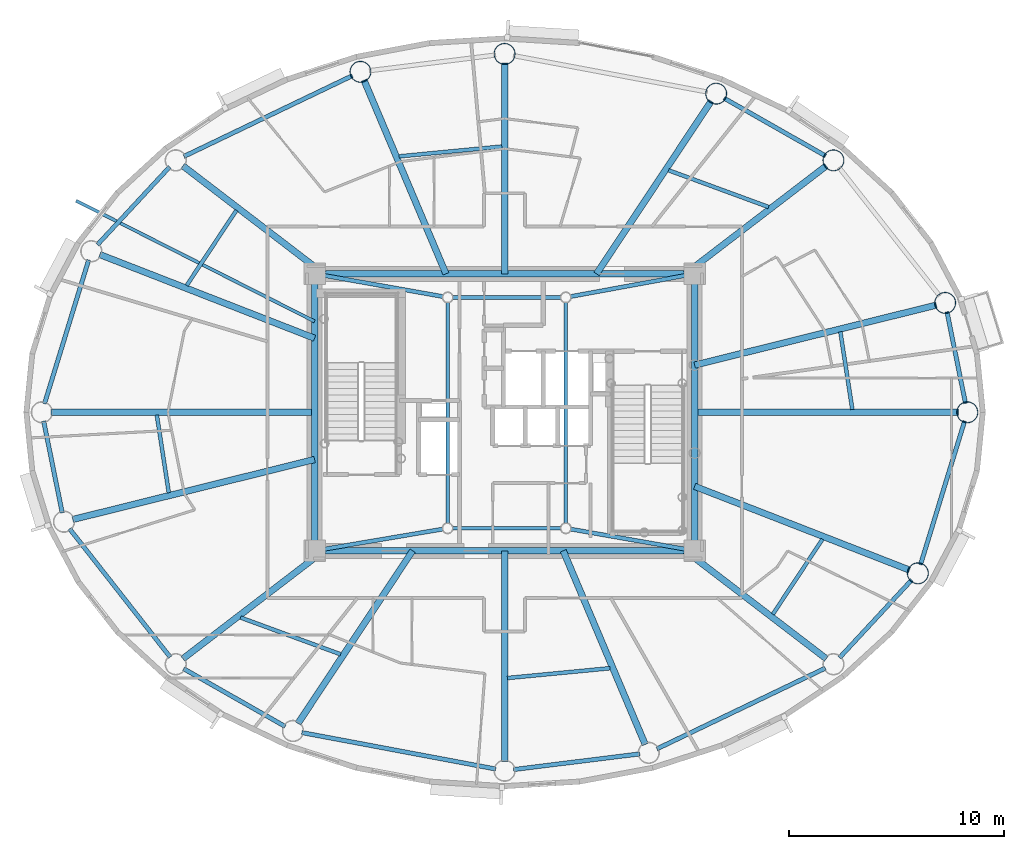
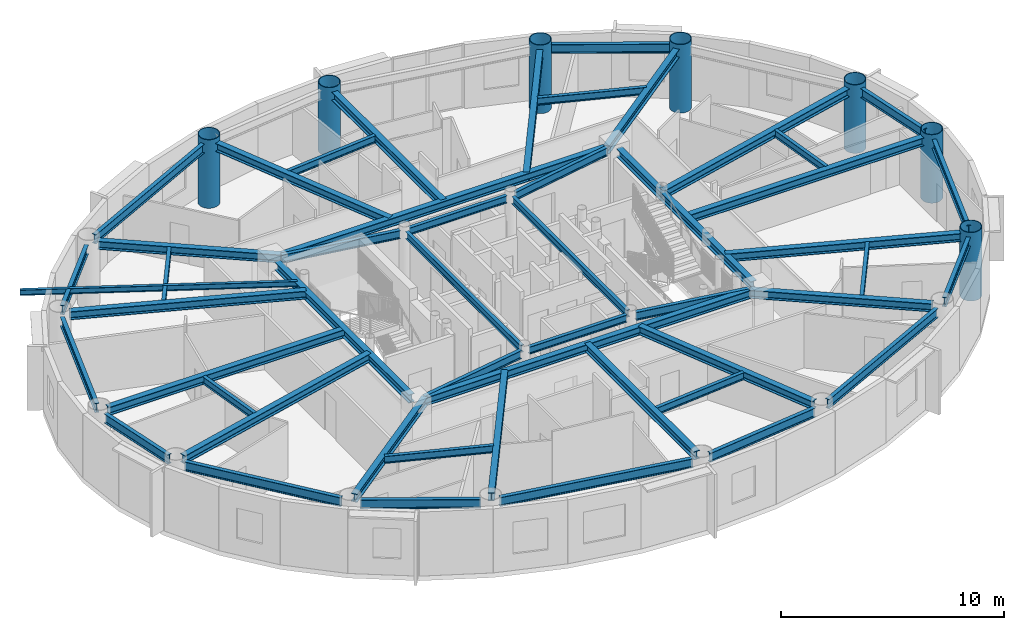
# One storey, part 2 of 17: 50 beams, 7 columns.
"""IFC4 building model written with IfcOpenShell, lengths in metres."""

from ifc_helpers import new_model, si_unit, direction, frame, origin, origin_2d, place, context, subcontext, project, spatial, hollow_circle, i_section, extrude, material, material_profile, profile_set, type_object, element, save


model = new_model("IFC4")

# Units and contexts
model_context = context("Model", 3, precision=1e-05, world=origin(), true_north=direction((0.0, 1.0)))
body_context = subcontext(model_context, "Body", "Model", "MODEL_VIEW")
ifc_project = project(units=[si_unit("LENGTHUNIT", "METRE"), si_unit("AREAUNIT", "SQUARE_METRE"), si_unit("VOLUMEUNIT", "CUBIC_METRE"), si_unit("PLANEANGLEUNIT", "RADIAN"), si_unit("MASSUNIT", "GRAM", prefix="KILO")], contexts=[model_context])

# Site, building, storey
site_placement = place(None, origin())
site = spatial("IfcSite", under=ifc_project, at=site_placement, CompositionType="ELEMENT")
building_placement = place(site_placement, origin())
building = spatial("IfcBuilding", under=site, at=building_placement, Name="Linh Dai School and Residence Tower", CompositionType="ELEMENT")
storey_placement = place(building_placement, frame((0.0, 0.0, 280.5)))
storey = spatial("IfcBuildingStorey", under=building, at=storey_placement, Name="L69", CompositionType="ELEMENT", Elevation=280.5)

# Columns
ifc_material = material(Name="Structural Steel S355JR", Category="steel")
ifc_material_profile_1 = material_profile(ifc_material, hollow_circle(Radius=0.5, WallThickness=0.031982421875, at=origin_2d()), Name="CHS 1000x32")
ifc_profile_set_1 = profile_set([ifc_material_profile_1], Name="Structural Steel S355JR")
column_type = type_object("IfcColumnType", Name="COL-MC6", PredefinedType="COLUMN", material=ifc_profile_set_1)
for number, where, z_axis, x_axis, name in (
    (1, (57.550048828125, 27.0, 0.0), (0.0, 0.0, 1.0), (1.0, 0.0, 0.0), "L69 Perimeter CFT Mega-Column MC01"),
    (2, (56.5185546875, 32.094482421875, 0.0), (0.0, 0.0, 1.0), (1.0, 0.0, 0.0), "L69 Perimeter CFT Mega-Column MC02"),
    (3, (51.315185546875, 38.7333984375, 0.0), (0.0, 0.0, 1.0), (1.0, 0.0, 0.0), "L69 Perimeter CFT Mega-Column MC03"),
    (4, (45.8544921875, 41.8388671875, 0.0), (0.0, 0.0, 1.0), (1.0, 0.0, 0.0), "L69 Perimeter CFT Mega-Column MC04"),
    (5, (36.0, 43.68994140625, 0.0), (0.0, 0.0, 1.0), (1.0, 0.0, 0.0), "L69 Perimeter CFT Mega-Column MC05"),
    (6, (29.28759765625, 42.857666015625, 0.0), (0.0, 0.0, 1.0), (1.0, 0.0, 0.0), "L69 Perimeter CFT Mega-Column MC06"),
    (7, (55.24609375, 19.50048828125, 0.0), (0.0, 0.0, 1.0), (1.0, 0.0, 0.0), "L69 Perimeter CFT Mega-Column MC16"),
):
    element("IfcColumn", number, at=place(storey_placement, frame(where, z_axis=z_axis, x_axis=x_axis)), inside=storey, type_object=column_type, Name=name, PredefinedType="COLUMN", context=body_context, shape_type="SweptSolid", body=[
        extrude(hollow_circle(Radius=0.5, WallThickness=0.031982421875, at=origin_2d()), origin(), (0.0, 0.0, 1.0), 3.75),
    ])

# Beams
ifc_material_profile_2 = material_profile(ifc_material, i_section(OverallWidth=0.14990234375, OverallDepth=0.300048828125, WebThickness=0.007080078125, FlangeThickness=0.0107421875, at=origin_2d()), Name="IPE 300")
ifc_profile_set_2 = profile_set([ifc_material_profile_2], Name="Structural Steel S355JR")
beam_type_1 = type_object("IfcBeamType", Name="BM-BALC-CANT", PredefinedType="BEAM", material=ifc_profile_set_2)
beam_1_placement = place(storey_placement, frame((27.14990234375, 31.23291015625, 3.35009765625), z_axis=(-0.892266718589, 0.451508696371, 0.0), x_axis=(-0.451508696371, -0.892266718589, 0.0)))
element("IfcBeam", 8, at=beam_1_placement, inside=storey, type_object=beam_type_1, Name="L70 Balcony Continuous Cantilever Beam 17", PredefinedType="BEAM", context=body_context, shape_type="SweptSolid", body=[
    extrude(i_section(OverallWidth=0.14990234375, OverallDepth=0.300048828125, WebThickness=0.007080078125, FlangeThickness=0.0107421875, at=origin_2d()), origin(), (0.0, 0.0, 1.0), 12.44482421875),
])
ifc_material_profile_3 = material_profile(ifc_material, i_section(OverallWidth=0.199951171875, OverallDepth=0.5, WebThickness=0.01025390625, FlangeThickness=0.01611328125, FilletRadius=0.02099609375, at=origin_2d()), Name="IPE 500")
ifc_profile_set_3 = profile_set([ifc_material_profile_3], Name="Structural Steel S355JR")
beam_type_2 = type_object("IfcBeamType", Name="BM-RB50", PredefinedType="BEAM", material=ifc_profile_set_3)
beam_2_placement = place(storey_placement, frame((57.466552734375, 27.41162109375, 3.25), z_axis=(-0.198442801529, 0.980112470343, 0.0), x_axis=(-0.980112470343, -0.198442801529, 0.0)))
element("IfcBeam", 9, at=beam_2_placement, inside=storey, type_object=beam_type_2, Name="L69 Perimeter Elliptical Ring Beam 01", PredefinedType="BEAM", context=body_context, shape_type="SweptSolid", body=[
    extrude(i_section(OverallWidth=0.199951171875, OverallDepth=0.5, WebThickness=0.01025390625, FlangeThickness=0.01611328125, FilletRadius=0.02099609375, at=origin_2d()), origin(), (0.0, 0.0, 1.0), 4.357666015625),
])
beam_3_placement = place(storey_placement, frame((50.949951171875, 38.94091796875, 3.25), z_axis=(-0.869265548778, 0.494345431564, 0.0), x_axis=(-0.494345431564, -0.869265548778, 0.0)))
element("IfcBeam", 10, at=beam_3_placement, inside=storey, type_object=beam_type_2, Name="L69 Perimeter Elliptical Ring Beam 03", PredefinedType="BEAM", context=body_context, shape_type="SweptSolid", body=[
    extrude(i_section(OverallWidth=0.199951171875, OverallDepth=0.5, WebThickness=0.01025390625, FlangeThickness=0.01611328125, FilletRadius=0.02099609375, at=origin_2d()), origin(), (0.0, 0.0, 1.0), 5.44189453125),
])
beam_4_placement = place(storey_placement, frame((28.908935546875, 42.67626953125, 3.25), z_axis=(-0.901728757887, -0.4323022637, 0.0), x_axis=(0.4323022637, -0.901728757887, 0.0)))
element("IfcBeam", 11, at=beam_4_placement, inside=storey, type_object=beam_type_2, Name="L69 Perimeter Elliptical Ring Beam 06", PredefinedType="BEAM", context=body_context, shape_type="SweptSolid", body=[
    extrude(i_section(OverallWidth=0.199951171875, OverallDepth=0.5, WebThickness=0.01025390625, FlangeThickness=0.01611328125, FilletRadius=0.02099609375, at=origin_2d()), origin(), (0.0, 0.0, 1.0), 8.700439453125),
])
beam_5_placement = place(storey_placement, frame((20.399169921875, 38.425537109375, 3.25), z_axis=(-0.680415064526, -0.7328269509, 0.0), x_axis=(0.7328269509, -0.680415064526, 0.0)))
element("IfcBeam", 12, at=beam_5_placement, inside=storey, type_object=beam_type_2, Name="L69 Perimeter Elliptical Ring Beam 07", PredefinedType="BEAM", context=body_context, shape_type="SweptSolid", body=[
    extrude(i_section(OverallWidth=0.199951171875, OverallDepth=0.5, WebThickness=0.01025390625, FlangeThickness=0.01611328125, FilletRadius=0.02099609375, at=origin_2d()), origin(), (0.0, 0.0, 1.0), 4.9375),
])
beam_6_placement = place(storey_placement, frame((16.630615234375, 34.097900390625, 3.25), z_axis=(-0.293681749834, -0.955903253376, 0.0), x_axis=(0.955903253376, -0.293681749834, 0.0)))
element("IfcBeam", 13, at=beam_6_placement, inside=storey, type_object=beam_type_2, Name="L69 Perimeter Elliptical Ring Beam 08", PredefinedType="BEAM", context=body_context, shape_type="SweptSolid", body=[
    extrude(i_section(OverallWidth=0.199951171875, OverallDepth=0.5, WebThickness=0.01025390625, FlangeThickness=0.01611328125, FilletRadius=0.02099609375, at=origin_2d()), origin(), (0.0, 0.0, 1.0), 7.00537109375),
])
beam_7_placement = place(storey_placement, frame((14.533447265625, 26.58837890625, 3.25), z_axis=(0.198442801529, -0.980112470343, 0.0), x_axis=(0.980112470343, 0.198442801529, 0.0)))
element("IfcBeam", 14, at=beam_7_placement, inside=storey, type_object=beam_type_2, Name="L69 Perimeter Elliptical Ring Beam 09", PredefinedType="BEAM", context=body_context, shape_type="SweptSolid", body=[
    extrude(i_section(OverallWidth=0.199951171875, OverallDepth=0.5, WebThickness=0.01025390625, FlangeThickness=0.01611328125, FilletRadius=0.02099609375, at=origin_2d()), origin(), (0.0, 0.0, 1.0), 4.357666015625),
])
beam_8_placement = place(storey_placement, frame((15.740478515625, 21.574951171875, 3.25), z_axis=(0.616882739554, -0.787055071542, 0.0), x_axis=(0.787055071542, 0.616882739554, 0.0)))
element("IfcBeam", 15, at=beam_8_placement, inside=storey, type_object=beam_type_2, Name="L69 Perimeter Elliptical Ring Beam 10", PredefinedType="BEAM", context=body_context, shape_type="SweptSolid", body=[
    extrude(i_section(OverallWidth=0.199951171875, OverallDepth=0.5, WebThickness=0.01025390625, FlangeThickness=0.01611328125, FilletRadius=0.02099609375, at=origin_2d()), origin(), (0.0, 0.0, 1.0), 7.59521484375),
])
beam_9_placement = place(storey_placement, frame((21.050048828125, 15.05908203125, 3.25), z_axis=(0.869265548778, -0.494345431564, 0.0), x_axis=(0.494345431564, 0.869265548778, 0.0)))
element("IfcBeam", 16, at=beam_9_placement, inside=storey, type_object=beam_type_2, Name="L69 Perimeter Elliptical Ring Beam 11", PredefinedType="BEAM", context=body_context, shape_type="SweptSolid", body=[
    extrude(i_section(OverallWidth=0.199951171875, OverallDepth=0.5, WebThickness=0.01025390625, FlangeThickness=0.01611328125, FilletRadius=0.02099609375, at=origin_2d()), origin(), (0.0, 0.0, 1.0), 5.44189453125),
])
beam_10_placement = place(storey_placement, frame((26.558349609375, 12.083740234375, 3.25), z_axis=(0.982805333306, -0.184644731378, 0.0), x_axis=(0.184644731378, 0.982805333306, 0.0)))
element("IfcBeam", 17, at=beam_10_placement, inside=storey, type_object=beam_type_2, Name="L69 Perimeter Elliptical Ring Beam 12", PredefinedType="BEAM", context=body_context, shape_type="SweptSolid", body=[
    extrude(i_section(OverallWidth=0.199951171875, OverallDepth=0.5, WebThickness=0.01025390625, FlangeThickness=0.01611328125, FilletRadius=0.02099609375, at=origin_2d()), origin(), (0.0, 0.0, 1.0), 9.186767578125),
])
beam_11_placement = place(storey_placement, frame((36.416748046875, 10.361572265625, 3.25), z_axis=(0.992399134443, 0.123060789678, 0.0), x_axis=(-0.123060789678, 0.992399134443, 0.0)))
element("IfcBeam", 18, at=beam_11_placement, inside=storey, type_object=beam_type_2, Name="L69 Perimeter Elliptical Ring Beam 13", PredefinedType="BEAM", context=body_context, shape_type="SweptSolid", body=[
    extrude(i_section(OverallWidth=0.199951171875, OverallDepth=0.5, WebThickness=0.01025390625, FlangeThickness=0.01611328125, FilletRadius=0.02099609375, at=origin_2d()), origin(), (0.0, 0.0, 1.0), 5.923828125),
])
beam_12_placement = place(storey_placement, frame((43.091064453125, 11.32373046875, 3.25), z_axis=(0.901728757887, 0.4323022637, 0.0), x_axis=(-0.4323022637, 0.901728757887, 0.0)))
element("IfcBeam", 19, at=beam_12_placement, inside=storey, type_object=beam_type_2, Name="L69 Perimeter Elliptical Ring Beam 14", PredefinedType="BEAM", context=body_context, shape_type="SweptSolid", body=[
    extrude(i_section(OverallWidth=0.199951171875, OverallDepth=0.5, WebThickness=0.01025390625, FlangeThickness=0.01611328125, FilletRadius=0.02099609375, at=origin_2d()), origin(), (0.0, 0.0, 1.0), 8.700439453125),
])
beam_13_placement = place(storey_placement, frame((51.600830078125, 15.574462890625, 3.25), z_axis=(0.680415064526, 0.7328269509, 0.0), x_axis=(-0.7328269509, 0.680415064526, 0.0)))
element("IfcBeam", 20, at=beam_13_placement, inside=storey, type_object=beam_type_2, Name="L69 Perimeter Elliptical Ring Beam 15", PredefinedType="BEAM", context=body_context, shape_type="SweptSolid", body=[
    extrude(i_section(OverallWidth=0.199951171875, OverallDepth=0.5, WebThickness=0.01025390625, FlangeThickness=0.01611328125, FilletRadius=0.02099609375, at=origin_2d()), origin(), (0.0, 0.0, 1.0), 4.9375),
])
beam_14_placement = place(storey_placement, frame((55.369384765625, 19.902099609375, 3.25), z_axis=(0.293681749834, 0.955903253376, 0.0), x_axis=(-0.955903253376, 0.293681749834, 0.0)))
element("IfcBeam", 21, at=beam_14_placement, inside=storey, type_object=beam_type_2, Name="L69 Perimeter Elliptical Ring Beam 16", PredefinedType="BEAM", context=body_context, shape_type="SweptSolid", body=[
    extrude(i_section(OverallWidth=0.199951171875, OverallDepth=0.5, WebThickness=0.01025390625, FlangeThickness=0.01611328125, FilletRadius=0.02099609375, at=origin_2d()), origin(), (0.0, 0.0, 1.0), 7.00537109375),
])
ifc_material_profile_4 = material_profile(ifc_material, i_section(OverallWidth=0.300048828125, OverallDepth=0.449951171875, WebThickness=0.013916015625, FlangeThickness=0.02587890625, FilletRadius=0.027099609375, at=origin_2d()), Name="HEB 450")
ifc_profile_set_4 = profile_set([ifc_material_profile_4], Name="Structural Steel S355JR")
beam_type_3 = type_object("IfcBeamType", Name="BM-RG45", PredefinedType="BEAM", material=ifc_profile_set_4)
beam_15_placement = place(storey_placement, frame((27.570068359375, 20.550048828125, 3.27490234375), z_axis=(1.0, 0.0, 0.0), x_axis=(0.0, 1.0, 0.0)))
element("IfcBeam", 22, at=beam_15_placement, inside=storey, type_object=beam_type_3, Name="L69 Core Perimeter Coupling Girder 1", PredefinedType="BEAM", context=body_context, shape_type="SweptSolid", body=[
    extrude(i_section(OverallWidth=0.300048828125, OverallDepth=0.449951171875, WebThickness=0.013916015625, FlangeThickness=0.02587890625, FilletRadius=0.027099609375, at=origin_2d()), origin(), (0.0, 0.0, 1.0), 16.85986328125),
])
beam_16_placement = place(storey_placement, frame((44.85009765625, 20.969970703125, 3.27490234375), z_axis=(0.0, 1.0, 0.0), x_axis=(-1.0, 0.0, 0.0)))
element("IfcBeam", 23, at=beam_16_placement, inside=storey, type_object=beam_type_3, Name="L69 Core Perimeter Coupling Girder 2", PredefinedType="BEAM", context=body_context, shape_type="SweptSolid", body=[
    extrude(i_section(OverallWidth=0.300048828125, OverallDepth=0.449951171875, WebThickness=0.013916015625, FlangeThickness=0.02587890625, FilletRadius=0.027099609375, at=origin_2d()), origin(), (0.0, 0.0, 1.0), 12.06005859375),
])
beam_17_placement = place(storey_placement, frame((44.429931640625, 33.449951171875, 3.27490234375), z_axis=(-1.0, 0.0, 0.0), x_axis=(0.0, -1.0, 0.0)))
element("IfcBeam", 24, at=beam_17_placement, inside=storey, type_object=beam_type_3, Name="L69 Core Perimeter Coupling Girder 3", PredefinedType="BEAM", context=body_context, shape_type="SweptSolid", body=[
    extrude(i_section(OverallWidth=0.300048828125, OverallDepth=0.449951171875, WebThickness=0.013916015625, FlangeThickness=0.02587890625, FilletRadius=0.027099609375, at=origin_2d()), origin(), (0.0, 0.0, 1.0), 16.85986328125),
])
beam_18_placement = place(storey_placement, frame((27.14990234375, 33.030029296875, 3.27490234375), z_axis=(0.0, -1.0, 0.0), x_axis=(1.0, 0.0, 0.0)))
element("IfcBeam", 25, at=beam_18_placement, inside=storey, type_object=beam_type_3, Name="L69 Core Perimeter Coupling Girder 4", PredefinedType="BEAM", context=body_context, shape_type="SweptSolid", body=[
    extrude(i_section(OverallWidth=0.300048828125, OverallDepth=0.449951171875, WebThickness=0.013916015625, FlangeThickness=0.02587890625, FilletRadius=0.027099609375, at=origin_2d()), origin(), (0.0, 0.0, 1.0), 12.06005859375),
])
beam_19_placement = place(storey_placement, frame((44.85009765625, 27.0, 3.27490234375), z_axis=(1.0, 0.0, 0.0), x_axis=(0.0, 1.0, 0.0)))
element("IfcBeam", 26, at=beam_19_placement, inside=storey, type_object=beam_type_3, Name="L69 Primary Radial Floor Girder 01", PredefinedType="BEAM", context=body_context, shape_type="SweptSolid", body=[
    extrude(i_section(OverallWidth=0.300048828125, OverallDepth=0.449951171875, WebThickness=0.013916015625, FlangeThickness=0.02587890625, FilletRadius=0.027099609375, at=origin_2d()), origin(), (0.0, 0.0, 1.0), 12.27978515625),
])
beam_20_placement = place(storey_placement, frame((44.85009765625, 29.197265625, 3.27490234375), z_axis=(0.970532368701, 0.240970789315, 0.0), x_axis=(-0.240970789315, 0.970532368701, 0.0)))
element("IfcBeam", 27, at=beam_20_placement, inside=storey, type_object=beam_type_3, Name="L69 Primary Radial Floor Girder 02", PredefinedType="BEAM", context=body_context, shape_type="SweptSolid", body=[
    extrude(i_section(OverallWidth=0.300048828125, OverallDepth=0.449951171875, WebThickness=0.013916015625, FlangeThickness=0.02587890625, FilletRadius=0.027099609375, at=origin_2d()), origin(), (0.0, 0.0, 1.0), 11.6025390625),
])
beam_21_placement = place(storey_placement, frame((44.4189453125, 33.449951171875, 3.27490234375), z_axis=(0.793802616583, 0.608175472956, 0.0), x_axis=(-0.608175472956, 0.793802616583, 0.0)))
element("IfcBeam", 28, at=beam_21_placement, inside=storey, type_object=beam_type_3, Name="L69 Primary Radial Floor Girder 03", PredefinedType="BEAM", context=body_context, shape_type="SweptSolid", body=[
    extrude(i_section(OverallWidth=0.300048828125, OverallDepth=0.449951171875, WebThickness=0.013916015625, FlangeThickness=0.02587890625, FilletRadius=0.027099609375, at=origin_2d()), origin(), (0.0, 0.0, 1.0), 8.267578125),
])
beam_22_placement = place(storey_placement, frame((40.283447265625, 33.449951171875, 3.27490234375), z_axis=(0.553210566646, 0.833041456922, 0.0), x_axis=(-0.833041456922, 0.553210566646, 0.0)))
element("IfcBeam", 29, at=beam_22_placement, inside=storey, type_object=beam_type_3, Name="L69 Primary Radial Floor Girder 04", PredefinedType="BEAM", context=body_context, shape_type="SweptSolid", body=[
    extrude(i_section(OverallWidth=0.300048828125, OverallDepth=0.449951171875, WebThickness=0.013916015625, FlangeThickness=0.02587890625, FilletRadius=0.027099609375, at=origin_2d()), origin(), (0.0, 0.0, 1.0), 9.650146484375),
])
beam_23_placement = place(storey_placement, frame((36.0, 33.449951171875, 3.27490234375), z_axis=(0.0, 1.0, 0.0), x_axis=(-1.0, 0.0, 0.0)))
element("IfcBeam", 30, at=beam_23_placement, inside=storey, type_object=beam_type_3, Name="L69 Primary Radial Floor Girder 05", PredefinedType="BEAM", context=body_context, shape_type="SweptSolid", body=[
    extrude(i_section(OverallWidth=0.300048828125, OverallDepth=0.449951171875, WebThickness=0.013916015625, FlangeThickness=0.02587890625, FilletRadius=0.027099609375, at=origin_2d()), origin(), (0.0, 0.0, 1.0), 9.820068359375),
])
beam_24_placement = place(storey_placement, frame((33.269775390625, 33.449951171875, 3.27490234375), z_axis=(-0.389794463678, 0.920901881899, 0.0), x_axis=(-0.920901881899, -0.389794463678, 0.0)))
element("IfcBeam", 31, at=beam_24_placement, inside=storey, type_object=beam_type_3, Name="L69 Primary Radial Floor Girder 06", PredefinedType="BEAM", context=body_context, shape_type="SweptSolid", body=[
    extrude(i_section(OverallWidth=0.300048828125, OverallDepth=0.449951171875, WebThickness=0.013916015625, FlangeThickness=0.02587890625, FilletRadius=0.027099609375, at=origin_2d()), origin(), (0.0, 0.0, 1.0), 9.7958984375),
])
beam_25_placement = place(storey_placement, frame((27.5810546875, 33.449951171875, 3.27490234375), z_axis=(-0.793802616583, 0.608175472956, 0.0), x_axis=(-0.608175472956, -0.793802616583, 0.0)))
element("IfcBeam", 32, at=beam_25_placement, inside=storey, type_object=beam_type_3, Name="L69 Primary Radial Floor Girder 07", PredefinedType="BEAM", context=body_context, shape_type="SweptSolid", body=[
    extrude(i_section(OverallWidth=0.300048828125, OverallDepth=0.449951171875, WebThickness=0.013916015625, FlangeThickness=0.02587890625, FilletRadius=0.027099609375, at=origin_2d()), origin(), (0.0, 0.0, 1.0), 8.267578125),
])
beam_26_placement = place(storey_placement, frame((27.14990234375, 30.448486328125, 3.27490234375), z_axis=(-0.931760809838, 0.363072710693, 0.0), x_axis=(-0.363072710693, -0.931760809838, 0.0)))
element("IfcBeam", 33, at=beam_26_placement, inside=storey, type_object=beam_type_3, Name="L69 Primary Radial Floor Girder 08", PredefinedType="BEAM", context=body_context, shape_type="SweptSolid", body=[
    extrude(i_section(OverallWidth=0.300048828125, OverallDepth=0.449951171875, WebThickness=0.013916015625, FlangeThickness=0.02587890625, FilletRadius=0.027099609375, at=origin_2d()), origin(), (0.0, 0.0, 1.0), 10.7373046875),
])
beam_27_placement = place(storey_placement, frame((27.14990234375, 27.0, 3.27490234375), z_axis=(-1.0, 0.0, 0.0), x_axis=(0.0, -1.0, 0.0)))
element("IfcBeam", 34, at=beam_27_placement, inside=storey, type_object=beam_type_3, Name="L69 Primary Radial Floor Girder 09", PredefinedType="BEAM", context=body_context, shape_type="SweptSolid", body=[
    extrude(i_section(OverallWidth=0.300048828125, OverallDepth=0.449951171875, WebThickness=0.013916015625, FlangeThickness=0.02587890625, FilletRadius=0.027099609375, at=origin_2d()), origin(), (0.0, 0.0, 1.0), 12.27978515625),
])
beam_28_placement = place(storey_placement, frame((27.14990234375, 24.802734375, 3.27490234375), z_axis=(-0.970532368701, -0.240970789315, 0.0), x_axis=(0.240970789315, -0.970532368701, 0.0)))
element("IfcBeam", 35, at=beam_28_placement, inside=storey, type_object=beam_type_3, Name="L69 Primary Radial Floor Girder 10", PredefinedType="BEAM", context=body_context, shape_type="SweptSolid", body=[
    extrude(i_section(OverallWidth=0.300048828125, OverallDepth=0.449951171875, WebThickness=0.013916015625, FlangeThickness=0.02587890625, FilletRadius=0.027099609375, at=origin_2d()), origin(), (0.0, 0.0, 1.0), 11.6025390625),
])
beam_29_placement = place(storey_placement, frame((27.5810546875, 20.550048828125, 3.27490234375), z_axis=(-0.793802616583, -0.608175472956, 0.0), x_axis=(0.608175472956, -0.793802616583, 0.0)))
element("IfcBeam", 36, at=beam_29_placement, inside=storey, type_object=beam_type_3, Name="L69 Primary Radial Floor Girder 11", PredefinedType="BEAM", context=body_context, shape_type="SweptSolid", body=[
    extrude(i_section(OverallWidth=0.300048828125, OverallDepth=0.449951171875, WebThickness=0.013916015625, FlangeThickness=0.02587890625, FilletRadius=0.027099609375, at=origin_2d()), origin(), (0.0, 0.0, 1.0), 8.267578125),
])
beam_30_placement = place(storey_placement, frame((31.716552734375, 20.550048828125, 3.27490234375), z_axis=(-0.553210566646, -0.833041456922, 0.0), x_axis=(0.833041456922, -0.553210566646, 0.0)))
element("IfcBeam", 37, at=beam_30_placement, inside=storey, type_object=beam_type_3, Name="L69 Primary Radial Floor Girder 12", PredefinedType="BEAM", context=body_context, shape_type="SweptSolid", body=[
    extrude(i_section(OverallWidth=0.300048828125, OverallDepth=0.449951171875, WebThickness=0.013916015625, FlangeThickness=0.02587890625, FilletRadius=0.027099609375, at=origin_2d()), origin(), (0.0, 0.0, 1.0), 9.650146484375),
])
beam_31_placement = place(storey_placement, frame((36.0, 20.550048828125, 3.27490234375), z_axis=(0.0, -1.0, 0.0), x_axis=(1.0, 0.0, 0.0)))
element("IfcBeam", 38, at=beam_31_placement, inside=storey, type_object=beam_type_3, Name="L69 Primary Radial Floor Girder 13", PredefinedType="BEAM", context=body_context, shape_type="SweptSolid", body=[
    extrude(i_section(OverallWidth=0.300048828125, OverallDepth=0.449951171875, WebThickness=0.013916015625, FlangeThickness=0.02587890625, FilletRadius=0.027099609375, at=origin_2d()), origin(), (0.0, 0.0, 1.0), 9.820068359375),
])
beam_32_placement = place(storey_placement, frame((38.730224609375, 20.550048828125, 3.27490234375), z_axis=(0.389794463678, -0.920901881899, 0.0), x_axis=(0.920901881899, 0.389794463678, 0.0)))
element("IfcBeam", 39, at=beam_32_placement, inside=storey, type_object=beam_type_3, Name="L69 Primary Radial Floor Girder 14", PredefinedType="BEAM", context=body_context, shape_type="SweptSolid", body=[
    extrude(i_section(OverallWidth=0.300048828125, OverallDepth=0.449951171875, WebThickness=0.013916015625, FlangeThickness=0.02587890625, FilletRadius=0.027099609375, at=origin_2d()), origin(), (0.0, 0.0, 1.0), 9.7958984375),
])
beam_33_placement = place(storey_placement, frame((44.4189453125, 20.550048828125, 3.27490234375), z_axis=(0.793802616583, -0.608175472956, 0.0), x_axis=(0.608175472956, 0.793802616583, 0.0)))
element("IfcBeam", 40, at=beam_33_placement, inside=storey, type_object=beam_type_3, Name="L69 Primary Radial Floor Girder 15", PredefinedType="BEAM", context=body_context, shape_type="SweptSolid", body=[
    extrude(i_section(OverallWidth=0.300048828125, OverallDepth=0.449951171875, WebThickness=0.013916015625, FlangeThickness=0.02587890625, FilletRadius=0.027099609375, at=origin_2d()), origin(), (0.0, 0.0, 1.0), 8.267578125),
])
beam_34_placement = place(storey_placement, frame((44.85009765625, 23.551513671875, 3.27490234375), z_axis=(0.931760809838, -0.363072710693, 0.0), x_axis=(0.363072710693, 0.931760809838, 0.0)))
element("IfcBeam", 41, at=beam_34_placement, inside=storey, type_object=beam_type_3, Name="L69 Primary Radial Floor Girder 16", PredefinedType="BEAM", context=body_context, shape_type="SweptSolid", body=[
    extrude(i_section(OverallWidth=0.300048828125, OverallDepth=0.449951171875, WebThickness=0.013916015625, FlangeThickness=0.02587890625, FilletRadius=0.027099609375, at=origin_2d()), origin(), (0.0, 0.0, 1.0), 10.7373046875),
])
ifc_material_profile_5 = material_profile(ifc_material, i_section(OverallWidth=0.179931640625, OverallDepth=0.39990234375, WebThickness=0.008544921875, FlangeThickness=0.013427734375, FilletRadius=0.02099609375, at=origin_2d()), Name="IPE 400")
ifc_profile_set_5 = profile_set([ifc_material_profile_5], Name="Structural Steel S355JR")
beam_type_4 = type_object("IfcBeamType", Name="BM-SB40", PredefinedType="BEAM", material=ifc_profile_set_5)
beam_35_placement = place(storey_placement, frame((33.573974609375, 21.60009765625, 3.300048828125), z_axis=(1.0, 0.0, 0.0), x_axis=(0.0, 1.0, 0.0)))
element("IfcBeam", 42, at=beam_35_placement, inside=storey, type_object=beam_type_4, Name="L69 Core Mast Pier Tie Beam 1", PredefinedType="BEAM", context=body_context, shape_type="SweptSolid", body=[
    extrude(i_section(OverallWidth=0.179931640625, OverallDepth=0.39990234375, WebThickness=0.008544921875, FlangeThickness=0.013427734375, FilletRadius=0.02099609375, at=origin_2d()), origin(), (0.0, 0.0, 1.0), 5.052001953125),
])
beam_36_placement = place(storey_placement, frame((38.85009765625, 21.823974609375, 3.300048828125), z_axis=(0.0, 1.0, 0.0), x_axis=(-1.0, 0.0, 0.0)))
element("IfcBeam", 43, at=beam_36_placement, inside=storey, type_object=beam_type_4, Name="L69 Core Mast Pier Tie Beam 2", PredefinedType="BEAM", context=body_context, shape_type="SweptSolid", body=[
    extrude(i_section(OverallWidth=0.179931640625, OverallDepth=0.39990234375, WebThickness=0.008544921875, FlangeThickness=0.013427734375, FilletRadius=0.02099609375, at=origin_2d()), origin(), (0.0, 0.0, 1.0), 10.302001953125),
])
beam_37_placement = place(storey_placement, frame((38.6259765625, 32.35009765625, 3.300048828125), z_axis=(-1.0, 0.0, 0.0), x_axis=(0.0, -1.0, 0.0)))
element("IfcBeam", 44, at=beam_37_placement, inside=storey, type_object=beam_type_4, Name="L69 Core Mast Pier Tie Beam 3", PredefinedType="BEAM", context=body_context, shape_type="SweptSolid", body=[
    extrude(i_section(OverallWidth=0.179931640625, OverallDepth=0.39990234375, WebThickness=0.008544921875, FlangeThickness=0.013427734375, FilletRadius=0.02099609375, at=origin_2d()), origin(), (0.0, 0.0, 1.0), 5.052001953125),
])
beam_38_placement = place(storey_placement, frame((33.35009765625, 32.1259765625, 3.300048828125), z_axis=(0.0, -1.0, 0.0), x_axis=(1.0, 0.0, 0.0)))
element("IfcBeam", 45, at=beam_38_placement, inside=storey, type_object=beam_type_4, Name="L69 Core Mast Pier Tie Beam 4", PredefinedType="BEAM", context=body_context, shape_type="SweptSolid", body=[
    extrude(i_section(OverallWidth=0.179931640625, OverallDepth=0.39990234375, WebThickness=0.008544921875, FlangeThickness=0.013427734375, FilletRadius=0.02099609375, at=origin_2d()), origin(), (0.0, 0.0, 1.0), 10.302001953125),
])
beam_39_placement = place(storey_placement, frame((52.1962890625, 27.12841796875, 3.300048828125), z_axis=(-0.152477826599, 0.988306891808, 0.0), x_axis=(-0.988306891808, -0.152477826599, 0.0)))
element("IfcBeam", 46, at=beam_39_placement, inside=storey, type_object=beam_type_4, Name="L69 Secondary Circumferential Floor Beam 01", PredefinedType="BEAM", context=body_context, shape_type="SweptSolid", body=[
    extrude(i_section(OverallWidth=0.179931640625, OverallDepth=0.39990234375, WebThickness=0.008544921875, FlangeThickness=0.013427734375, FilletRadius=0.02099609375, at=origin_2d()), origin(), (0.0, 0.0, 1.0), 3.663330078125),
])
beam_40_placement = place(storey_placement, frame((48.296630859375, 36.55908203125, 3.300048828125), z_axis=(-0.93867853021, 0.344793585964, 0.0), x_axis=(-0.344793585964, -0.93867853021, 0.0)))
element("IfcBeam", 47, at=beam_40_placement, inside=storey, type_object=beam_type_4, Name="L69 Secondary Circumferential Floor Beam 02", PredefinedType="BEAM", context=body_context, shape_type="SweptSolid", body=[
    extrude(i_section(OverallWidth=0.179931640625, OverallDepth=0.39990234375, WebThickness=0.008544921875, FlangeThickness=0.013427734375, FilletRadius=0.02099609375, at=origin_2d()), origin(), (0.0, 0.0, 1.0), 4.96435546875),
])
beam_41_placement = place(storey_placement, frame((35.87060546875, 39.376708984375, 3.300048828125), z_axis=(-0.995447598318, -0.09531043491, 0.0), x_axis=(0.09531043491, -0.995447598318, 0.0)))
element("IfcBeam", 48, at=beam_41_placement, inside=storey, type_object=beam_type_4, Name="L69 Secondary Circumferential Floor Beam 03", PredefinedType="BEAM", context=body_context, shape_type="SweptSolid", body=[
    extrude(i_section(OverallWidth=0.179931640625, OverallDepth=0.39990234375, WebThickness=0.008544921875, FlangeThickness=0.013427734375, FilletRadius=0.02099609375, at=origin_2d()), origin(), (0.0, 0.0, 1.0), 4.802978515625),
])
beam_42_placement = place(storey_placement, frame((23.509521484375, 36.406005859375, 3.300048828125), z_axis=(-0.552120293776, -0.833764463863, 0.0), x_axis=(0.833764463863, -0.552120293776, 0.0)))
element("IfcBeam", 49, at=beam_42_placement, inside=storey, type_object=beam_type_4, Name="L69 Secondary Circumferential Floor Beam 04", PredefinedType="BEAM", context=body_context, shape_type="SweptSolid", body=[
    extrude(i_section(OverallWidth=0.179931640625, OverallDepth=0.39990234375, WebThickness=0.008544921875, FlangeThickness=0.013427734375, FilletRadius=0.02099609375, at=origin_2d()), origin(), (0.0, 0.0, 1.0), 4.197265625),
])
beam_43_placement = place(storey_placement, frame((19.8037109375, 26.87158203125, 3.300048828125), z_axis=(0.152477826599, -0.988306891808, 0.0), x_axis=(0.988306891808, 0.152477826599, 0.0)))
element("IfcBeam", 50, at=beam_43_placement, inside=storey, type_object=beam_type_4, Name="L69 Secondary Circumferential Floor Beam 05", PredefinedType="BEAM", context=body_context, shape_type="SweptSolid", body=[
    extrude(i_section(OverallWidth=0.179931640625, OverallDepth=0.39990234375, WebThickness=0.008544921875, FlangeThickness=0.013427734375, FilletRadius=0.02099609375, at=origin_2d()), origin(), (0.0, 0.0, 1.0), 3.663330078125),
])
beam_44_placement = place(storey_placement, frame((23.703369140625, 17.44091796875, 3.300048828125), z_axis=(0.93867853021, -0.344793585964, 0.0), x_axis=(0.344793585964, 0.93867853021, 0.0)))
element("IfcBeam", 51, at=beam_44_placement, inside=storey, type_object=beam_type_4, Name="L69 Secondary Circumferential Floor Beam 06", PredefinedType="BEAM", context=body_context, shape_type="SweptSolid", body=[
    extrude(i_section(OverallWidth=0.179931640625, OverallDepth=0.39990234375, WebThickness=0.008544921875, FlangeThickness=0.013427734375, FilletRadius=0.02099609375, at=origin_2d()), origin(), (0.0, 0.0, 1.0), 4.96435546875),
])
beam_45_placement = place(storey_placement, frame((36.12939453125, 14.623291015625, 3.300048828125), z_axis=(0.995447598318, 0.09531043491, 0.0), x_axis=(-0.09531043491, 0.995447598318, 0.0)))
element("IfcBeam", 52, at=beam_45_placement, inside=storey, type_object=beam_type_4, Name="L69 Secondary Circumferential Floor Beam 07", PredefinedType="BEAM", context=body_context, shape_type="SweptSolid", body=[
    extrude(i_section(OverallWidth=0.179931640625, OverallDepth=0.39990234375, WebThickness=0.008544921875, FlangeThickness=0.013427734375, FilletRadius=0.02099609375, at=origin_2d()), origin(), (0.0, 0.0, 1.0), 4.802978515625),
])
beam_46_placement = place(storey_placement, frame((48.490478515625, 17.593994140625, 3.300048828125), z_axis=(0.552120293776, 0.833764463863, 0.0), x_axis=(-0.833764463863, 0.552120293776, 0.0)))
element("IfcBeam", 53, at=beam_46_placement, inside=storey, type_object=beam_type_4, Name="L69 Secondary Circumferential Floor Beam 08", PredefinedType="BEAM", context=body_context, shape_type="SweptSolid", body=[
    extrude(i_section(OverallWidth=0.179931640625, OverallDepth=0.39990234375, WebThickness=0.008544921875, FlangeThickness=0.013427734375, FilletRadius=0.02099609375, at=origin_2d()), origin(), (0.0, 0.0, 1.0), 4.197265625),
])
ifc_material_profile_6 = material_profile(ifc_material, i_section(OverallWidth=0.18994140625, OverallDepth=0.449951171875, WebThickness=0.009521484375, FlangeThickness=0.0146484375, FilletRadius=0.02099609375, at=origin_2d()), Name="IPE 450")
ifc_profile_set_6 = profile_set([ifc_material_profile_6], Name="Structural Steel S355JR")
beam_type_5 = type_object("IfcBeamType", Name="BM-SB45", PredefinedType="BEAM", material=ifc_profile_set_6)
beam_47_placement = place(storey_placement, frame((27.564208984375, 20.6201171875, 3.27490234375), z_axis=(0.98596270559, 0.166965694638, 0.0), x_axis=(-0.166965694638, 0.98596270559, 0.0)))
element("IfcBeam", 54, at=beam_47_placement, inside=storey, type_object=beam_type_5, Name="L69 Core Corner-to-Mast Pier Beam 1", PredefinedType="BEAM", context=body_context, shape_type="SweptSolid", body=[
    extrude(i_section(OverallWidth=0.18994140625, OverallDepth=0.449951171875, WebThickness=0.009521484375, FlangeThickness=0.0146484375, FilletRadius=0.02099609375, at=origin_2d()), origin(), (0.0, 0.0, 1.0), 5.644287109375),
])
beam_48_placement = place(storey_placement, frame((44.436279296875, 20.622314453125, 3.27490234375), z_axis=(-0.985031608673, 0.17237380867, 0.0), x_axis=(-0.17237380867, -0.985031608673, 0.0)))
element("IfcBeam", 55, at=beam_48_placement, inside=storey, type_object=beam_type_5, Name="L69 Core Corner-to-Mast Pier Beam 2", PredefinedType="BEAM", context=body_context, shape_type="SweptSolid", body=[
    extrude(i_section(OverallWidth=0.18994140625, OverallDepth=0.449951171875, WebThickness=0.009521484375, FlangeThickness=0.0146484375, FilletRadius=0.02099609375, at=origin_2d()), origin(), (0.0, 0.0, 1.0), 5.447265625),
])
beam_49_placement = place(storey_placement, frame((44.436767578125, 33.374267578125, 3.27490234375), z_axis=(-0.983605366802, -0.180334362777, 0.0), x_axis=(0.180334362777, -0.983605366802, 0.0)))
element("IfcBeam", 56, at=beam_49_placement, inside=storey, type_object=beam_type_5, Name="L69 Core Corner-to-Mast Pier Beam 3", PredefinedType="BEAM", context=body_context, shape_type="SweptSolid", body=[
    extrude(i_section(OverallWidth=0.18994140625, OverallDepth=0.449951171875, WebThickness=0.009521484375, FlangeThickness=0.0146484375, FilletRadius=0.02099609375, at=origin_2d()), origin(), (0.0, 0.0, 1.0), 5.455810546875),
])
beam_50_placement = place(storey_placement, frame((27.5634765625, 33.376708984375, 3.27490234375), z_axis=(0.984621828197, -0.174699328672, 0.0), x_axis=(0.174699328672, 0.984621828197, 0.0)))
element("IfcBeam", 57, at=beam_50_placement, inside=storey, type_object=beam_type_5, Name="L69 Core Corner-to-Mast Pier Beam 4", PredefinedType="BEAM", context=body_context, shape_type="SweptSolid", body=[
    extrude(i_section(OverallWidth=0.18994140625, OverallDepth=0.449951171875, WebThickness=0.009521484375, FlangeThickness=0.0146484375, FilletRadius=0.02099609375, at=origin_2d()), origin(), (0.0, 0.0, 1.0), 5.65283203125),
])

save(model, "model.ifc")
